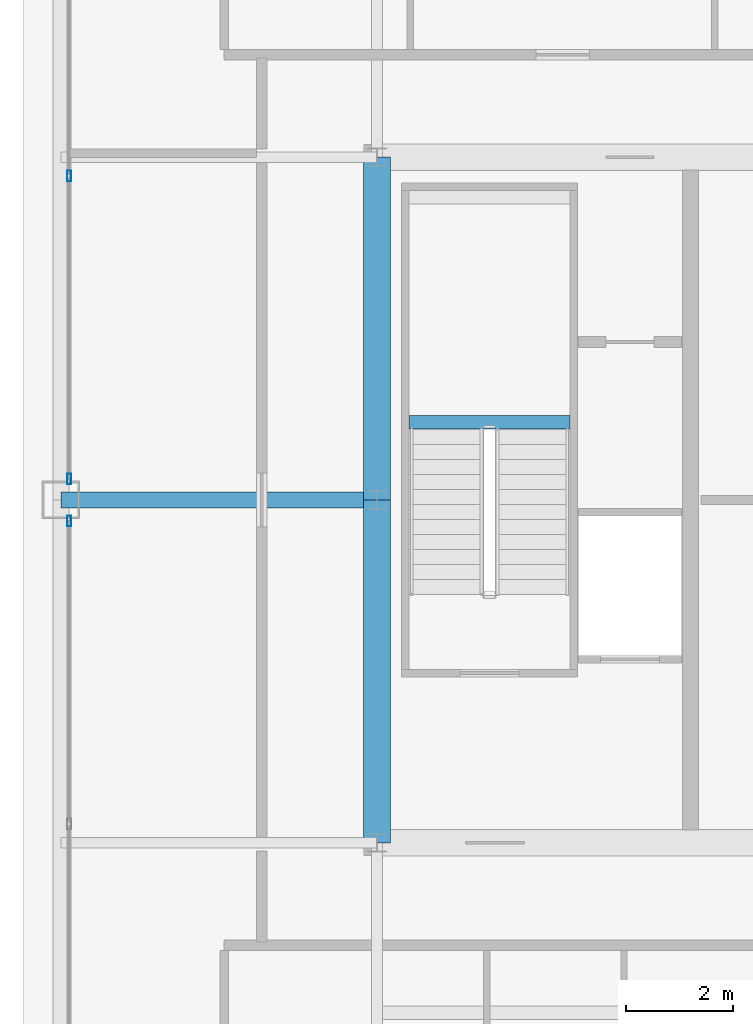
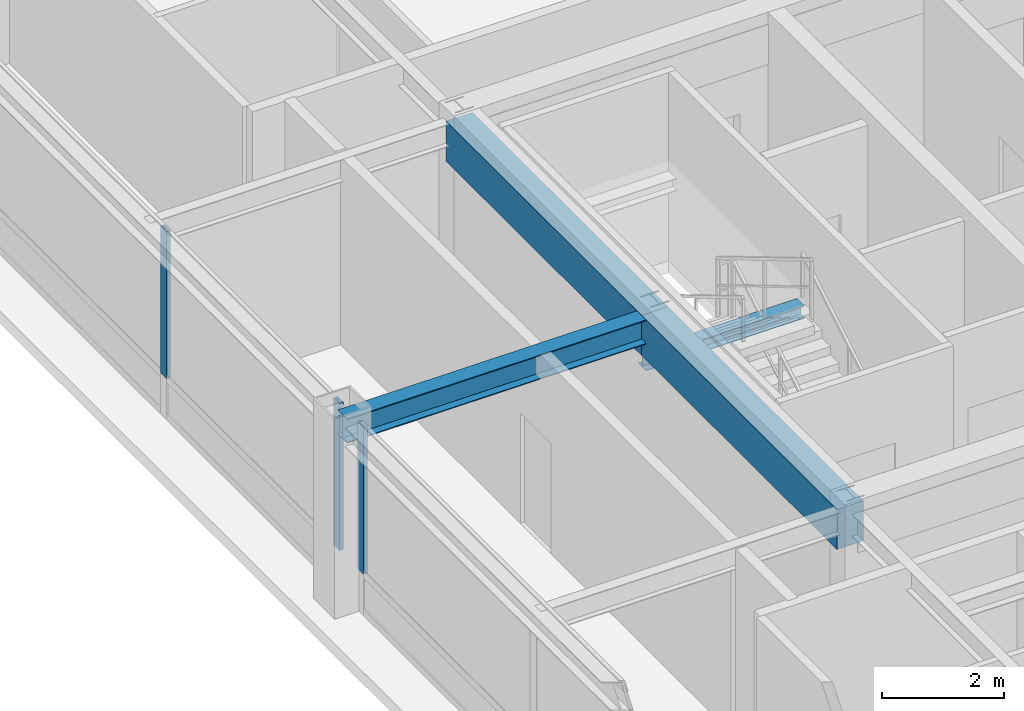
# One storey, part 11 of 34: 4 beams, 3 members, 2 elements without a shape of their own.
"""IFC4 building model written with IfcOpenShell, lengths in metres."""

from ifc_helpers import new_model, si_unit, direction, frame, origin, origin_2d, place, context, subcontext, project, spatial, rectangle, hollow_rectangle, i_section, extrude, source, transform, mapped, material, layer, layer_set, material_profile, profile_set, type_object, element, aggregate, save


model = new_model("IFC4")

# Units and contexts
model_context = context("Model", 3, precision=1e-05, world=origin(), true_north=direction((0.0, 1.0)))
body_context = subcontext(model_context, "Body", "Model", "MODEL_VIEW")
ifc_project = project(units=[si_unit("LENGTHUNIT", "METRE"), si_unit("AREAUNIT", "SQUARE_METRE"), si_unit("VOLUMEUNIT", "CUBIC_METRE"), si_unit("PLANEANGLEUNIT", "RADIAN"), si_unit("MASSUNIT", "GRAM", prefix="KILO"), si_unit("THERMODYNAMICTEMPERATUREUNIT", "KELVIN"), si_unit("POWERUNIT", "WATT")], contexts=[model_context])

# Site, building, storey
site_placement = place(None, origin())
site = spatial("IfcSite", under=ifc_project, at=site_placement, CompositionType="ELEMENT")
building_placement = place(site_placement, origin())
building = spatial("IfcBuilding", under=site, at=building_placement, Name="Yuzanri Waterfront Tower", CompositionType="ELEMENT")
storey_placement = place(building_placement, frame((0.0, 0.0, 339.199951171875)))
storey = spatial("IfcBuildingStorey", under=building, at=storey_placement, Name="L91", CompositionType="ELEMENT", Elevation=339.199951171875)

# Beams
ifc_material_1 = material(Name="Concrete C50", Category="concrete")
ifc_material_profile_1 = material_profile(ifc_material_1, rectangle(XDim=0.5, YDim=0.800048828125, at=origin_2d()), Name="RC 500x800")
ifc_profile_set_1 = profile_set([ifc_material_profile_1], Name="Concrete C50")
beam_type_1 = type_object("IfcBeamType", Name="Core Coupling Lintel Concrete C50 500x800", PredefinedType="LINTEL", material=ifc_profile_set_1)
shared_shape_1 = source(origin(), body_context, "Body", "SweptSolid", [
    extrude(rectangle(XDim=0.5, YDim=0.800048828125, at=origin_2d()), origin(), (0.0, 0.0, 1.0), 6.400146484375),
])
beam_1_placement = place(storey_placement, frame((23.800048828125, 19.39990234375, 3.360107421875), z_axis=(0.0, 1.0, 0.0), x_axis=(-1.0, 0.0, 0.0)))
element("IfcBeam", 1, at=beam_1_placement, inside=storey, type_object=beam_type_1, Name="L91 Core Tie Beam CW1", PredefinedType="LINTEL", context=body_context, shape_type="MappedRepresentation", body=[
    mapped(shared_shape_1, transform((0.0, 0.0, 0.0), scale=1.0)),
])
shared_shape_2 = source(origin(), body_context, "Body", "SweptSolid", [
    extrude(rectangle(XDim=0.5, YDim=0.800048828125, at=origin_2d()), origin(), (0.0, 0.0, 1.0), 6.39990234375),
])
beam_2_placement = place(storey_placement, frame((23.800048828125, 25.800048828125, 3.360107421875), z_axis=(0.0, 1.0, 0.0), x_axis=(-1.0, 0.0, 0.0)))
element("IfcBeam", 2, at=beam_2_placement, inside=storey, type_object=beam_type_1, Name="L91 Core Tie Beam CW2", PredefinedType="LINTEL", context=body_context, shape_type="MappedRepresentation", body=[
    mapped(shared_shape_2, transform((0.0, 0.0, 0.0), scale=1.0)),
])
ifc_material_2 = material(Name="Steel Q355B", Category="steel")
ifc_material_profile_2 = material_profile(ifc_material_2, i_section(OverallWidth=0.300048828125, OverallDepth=0.488037109375, WebThickness=0.010986328125, FlangeThickness=0.01806640625, at=origin_2d()), Name="HM 488x300x11x18")
ifc_profile_set_2 = profile_set([ifc_material_profile_2], Name="Steel Q355B")
beam_type_2 = type_object("IfcBeamType", Name="Primary Floor Girder Q355B HM 488x300", PredefinedType="BEAM", material=ifc_profile_set_2)
shared_shape_3 = source(origin(), body_context, "Body", "SweptSolid", [
    extrude(i_section(OverallWidth=0.300048828125, OverallDepth=0.488037109375, WebThickness=0.010986328125, FlangeThickness=0.01806640625, at=origin_2d()), origin(), (0.0, 0.0, 1.0), 5.900146484375),
])
beam_3_placement = place(storey_placement, frame((23.800048828125, 25.800048828125, 3.51611328125), z_axis=(-1.0, 0.0, 0.0), x_axis=(0.0, -1.0, 0.0)))
element("IfcBeam", 3, at=beam_3_placement, inside=storey, type_object=beam_type_2, Name="L91 West Grid Girder", PredefinedType="BEAM", context=body_context, shape_type="MappedRepresentation", body=[
    mapped(shared_shape_3, transform((0.0, 0.0, 0.0), scale=1.0)),
])

# Curtain wall, member
ifc_material_3 = material(Name="Anodized Architectural Bronze", Category="metal")
ifc_layer = layer(ifc_material_3, 0.159912109375)
ifc_layer_set = layer_set([ifc_layer], Name="Anodized Architectural Bronze")
curtain_wall_type = type_object("IfcCurtainWallType", Name="Anodized Bronze High-Rise Penthouse High-Wind Unitized Curtain Wall 6900", PredefinedType="NOTDEFINED", material=ifc_layer_set)
curtain_wall_1_placement = place(storey_placement, origin())
curtain_wall_1 = element("IfcCurtainWall", 4, at=curtain_wall_1_placement, inside=storey, type_object=curtain_wall_type, Name="L91 Curtain Wall CW-L91-WL", PredefinedType="NOTDEFINED")
ifc_material_4 = material(Name="Anodized Architectural Bronze", Category="metal")
ifc_material_profile_3 = material_profile(ifc_material_4, hollow_rectangle(XDim=0.074951171875, YDim=0.199951171875, WallThickness=0.00390625, at=origin_2d()), Name="CWM 75x200")
ifc_profile_set_3 = profile_set([ifc_material_profile_3], Name="Anodized Architectural Bronze")
member_type = type_object("IfcMemberType", Name="Anodized Bronze Primary Curtain-Wall Mullion 75x200", PredefinedType="MULLION", material=ifc_profile_set_3)
shared_shape_4 = source(origin(), body_context, "Body", "SweptSolid", [
    extrude(hollow_rectangle(XDim=0.074951171875, YDim=0.199951171875, WallThickness=0.00390625, at=origin_2d()), origin(), (0.0, 0.0, 1.0), 2.93798828125),
])
member_1_placement = place(storey_placement, frame((18.050048828125, 25.409912109375, 0.822021484375), z_axis=(0.0, 0.0, 1.0), x_axis=(1.0, 0.0, 0.0)))
member_1 = element("IfcMember", 5, at=member_1_placement, type_object=member_type, Name="CW-L91-WL Upper Mullion 02", PredefinedType="MULLION", context=body_context, shape_type="MappedRepresentation", body=[
    mapped(shared_shape_4, transform((0.0, 0.0, 0.0), scale=1.0)),
])
aggregate(curtain_wall_1, [member_1])

# Curtain wall, members
curtain_wall_2_placement = place(storey_placement, origin())
curtain_wall_2 = element("IfcCurtainWall", 6, at=curtain_wall_2_placement, inside=storey, type_object=curtain_wall_type, Name="L91 Curtain Wall CW-L91-WR", PredefinedType="NOTDEFINED")
member_2_placement = place(storey_placement, frame((18.050048828125, 26.18994140625, 0.822021484375), z_axis=(0.0, 0.0, 1.0), x_axis=(1.0, 0.0, 0.0)))
member_2 = element("IfcMember", 7, at=member_2_placement, type_object=member_type, Name="CW-L91-WR Upper Mullion 00", PredefinedType="MULLION", context=body_context, shape_type="MappedRepresentation", body=[
    mapped(shared_shape_4, transform((0.0, 0.0, 0.0), scale=1.0)),
])
member_3_placement = place(storey_placement, frame((18.050048828125, 31.85009765625, 0.822021484375), z_axis=(0.0, 0.0, 1.0), x_axis=(1.0, 0.0, 0.0)))
member_3 = element("IfcMember", 8, at=member_3_placement, type_object=member_type, Name="CW-L91-WR Upper Mullion 01", PredefinedType="MULLION", context=body_context, shape_type="MappedRepresentation", body=[
    mapped(shared_shape_4, transform((0.0, 0.0, 0.0), scale=1.0)),
])
aggregate(curtain_wall_2, [member_2, member_3])

# Beam
ifc_material_5 = material(Name="Steel Q355B", Category="steel")
ifc_material_profile_4 = material_profile(ifc_material_5, i_section(OverallWidth=0.25, OverallDepth=0.25, WebThickness=0.009033203125, FlangeThickness=0.013916015625, at=origin_2d()), Name="HW 250x250x9x14")
ifc_profile_set_4 = profile_set([ifc_material_profile_4], Name="Steel Q355B")
beam_type_3 = type_object("IfcBeamType", Name="Stair Landing Support Beam Q355B HW 250x250", PredefinedType="BEAM", material=ifc_profile_set_4)
shared_shape_5 = source(origin(), body_context, "Body", "SweptSolid", [
    extrude(i_section(OverallWidth=0.25, OverallDepth=0.25, WebThickness=0.009033203125, FlangeThickness=0.013916015625, at=origin_2d()), origin(), (0.0, 0.0, 1.0), 3.0),
])
beam_4_placement = place(storey_placement, frame((24.39990234375, 27.25, 1.675048828125), z_axis=(1.0, 0.0, 0.0), x_axis=(0.0, 1.0, 0.0)))
element("IfcBeam", 9, at=beam_4_placement, inside=storey, type_object=beam_type_3, Name="L91 Stair Landing Support Beam ST-01-L91-L1-1", PredefinedType="BEAM", context=body_context, shape_type="MappedRepresentation", body=[
    mapped(shared_shape_5, transform((0.0, 0.0, 0.0), scale=1.0)),
])

save(model, "model.ifc")
